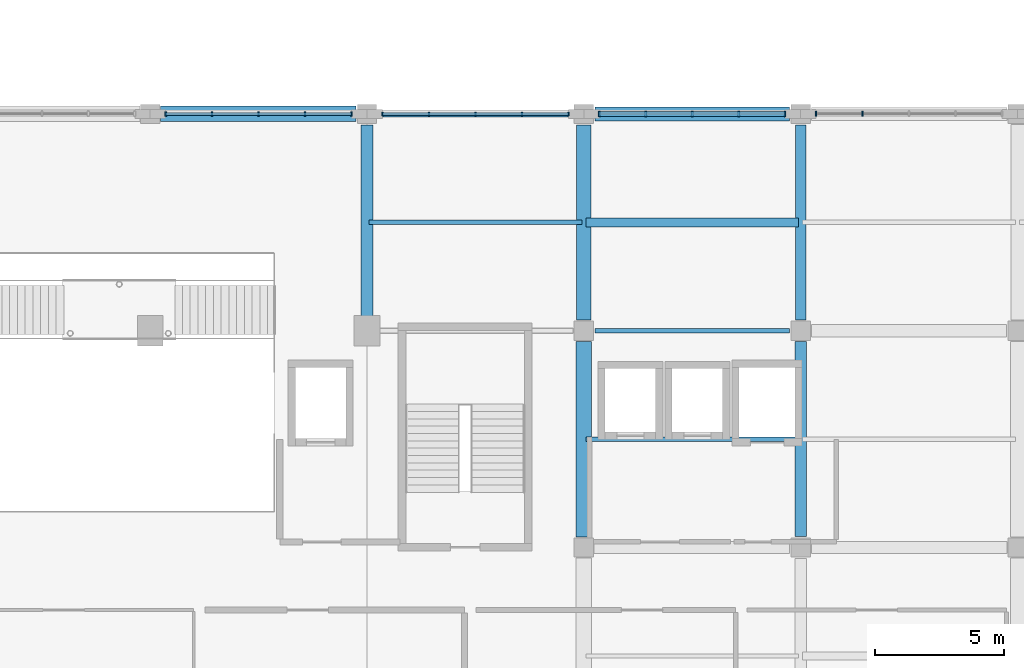
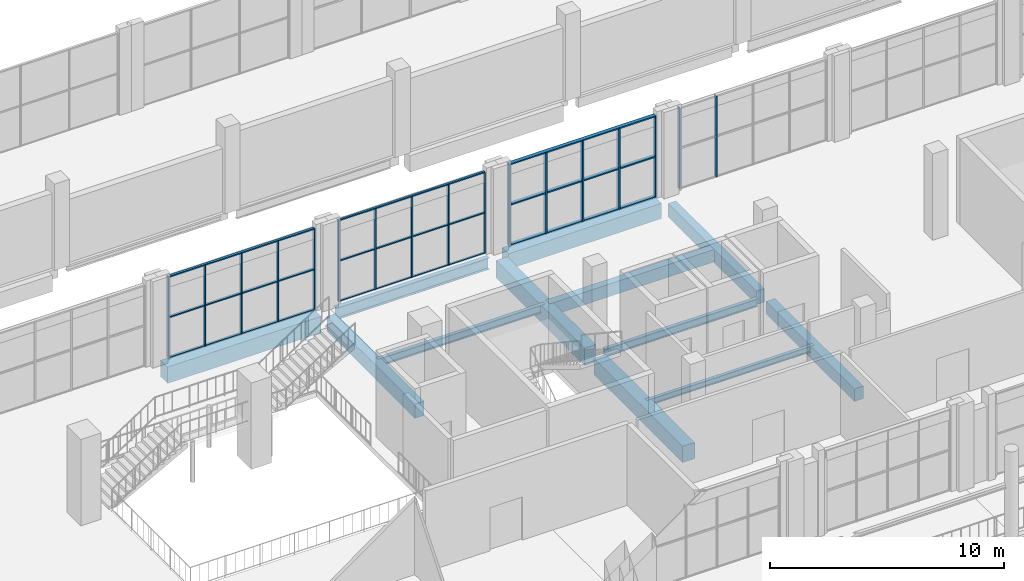
# One storey, part 24 of 75: 26 members, 12 beams, 4 elements without a shape of their own.
"""IFC4 building model written with IfcOpenShell, lengths in metres."""

from ifc_helpers import new_model, si_unit, derived_unit, direction, frame, origin, origin_2d, place, context, subcontext, project, spatial, rectangle, i_section, extrude, material, material_profile, profile_set, type_object, element, aggregate, save


model = new_model("IFC4")

# Units and contexts
model_context = context("Model", 3, precision=1e-05, world=origin(), true_north=direction((0.0, 1.0)))
body_context = subcontext(model_context, "Body", "Model", "MODEL_VIEW")
ifc_project = project(units=[si_unit("LENGTHUNIT", "METRE"), si_unit("AREAUNIT", "SQUARE_METRE"), si_unit("VOLUMEUNIT", "CUBIC_METRE"), si_unit("PLANEANGLEUNIT", "RADIAN"), si_unit("MASSUNIT", "GRAM", prefix="KILO"), derived_unit("THERMALTRANSMITTANCEUNIT", [(si_unit("POWERUNIT", "WATT"), 1), (si_unit("LENGTHUNIT", "METRE"), -2), (si_unit("THERMODYNAMICTEMPERATUREUNIT", "KELVIN"), -1)])], contexts=[model_context])

# Site, building, storey
site_placement = place(None, origin())
site = spatial("IfcSite", under=ifc_project, at=site_placement, CompositionType="ELEMENT")
building_placement = place(site_placement, origin())
building = spatial("IfcBuilding", under=site, at=building_placement, Name="Barrovel Congress Hotel", CompositionType="ELEMENT")
storey_placement = place(building_placement, frame((0.0, 0.0, 5.39990234375)))
storey = spatial("IfcBuildingStorey", under=building, at=storey_placement, Name="L01", CompositionType="ELEMENT", Elevation=5.39990234375)

# Beams
ifc_material_1 = material(Name="Concrete C40", Category="concrete")
ifc_material_profile_1 = material_profile(ifc_material_1, rectangle(XDim=0.35009765625, YDim=0.64990234375, at=origin_2d()), Name="RC350x650")
ifc_profile_set_1 = profile_set([ifc_material_profile_1], Name="Concrete C40")
beam_type_1 = type_object("IfcBeamType", Name="BM-RC350x650", PredefinedType="JOIST", material=ifc_profile_set_1)
beam_1_placement = place(storey_placement, frame((84.080078125, 25.199951171875, -0.5849609375), z_axis=(1.0, 0.0, 0.0), x_axis=(0.0, 1.0, 0.0)))
element("IfcBeam", 1, at=beam_1_placement, inside=storey, type_object=beam_type_1, Name="JST:L01:84.0:25.2", PredefinedType="JOIST", context=body_context, shape_type="SweptSolid", body=[
    extrude(rectangle(XDim=0.35009765625, YDim=0.64990234375, at=origin_2d()), origin(), (0.0, 0.0, 1.0), 8.239990234375),
])
ifc_material_profile_2 = material_profile(ifc_material_1, rectangle(XDim=0.39990234375, YDim=0.699951171875, at=origin_2d()), Name="RC400x700")
ifc_profile_set_2 = profile_set([ifc_material_profile_2], Name="Concrete C40")
beam_type_2 = type_object("IfcBeamType", Name="BM-RC400x700", PredefinedType="BEAM", material=ifc_profile_set_2)
beam_2_placement = place(storey_placement, frame((92.39990234375, 21.425048828125, -0.60986328125), z_axis=(0.0, 1.0, 0.0), x_axis=(-1.0, 0.0, 0.0)))
element("IfcBeam", 2, at=beam_2_placement, inside=storey, type_object=beam_type_2, Name="BMY:L01:92.4:21.0-29.4", PredefinedType="BEAM", context=body_context, shape_type="SweptSolid", body=[
    extrude(rectangle(XDim=0.39990234375, YDim=0.699951171875, at=origin_2d()), origin(), (0.0, 0.0, 1.0), 7.550048828125),
])
ifc_material_profile_3 = material_profile(ifc_material_1, rectangle(XDim=0.449951171875, YDim=0.64990234375, at=origin_2d()), Name="RC450x650")
ifc_profile_set_3 = profile_set([ifc_material_profile_3], Name="Concrete C40")
beam_type_3 = type_object("IfcBeamType", Name="BM-RC450x650", PredefinedType="BEAM", material=ifc_profile_set_3)
beam_3_placement = place(storey_placement, frame((92.39990234375, 13.02490234375, -0.5849609375), z_axis=(0.0, 1.0, 0.0), x_axis=(-1.0, 0.0, 0.0)))
element("IfcBeam", 3, at=beam_3_placement, inside=storey, type_object=beam_type_3, Name="BMY:L01:92.4:12.6-21.0", PredefinedType="BEAM", context=body_context, shape_type="SweptSolid", body=[
    extrude(rectangle(XDim=0.449951171875, YDim=0.64990234375, at=origin_2d()), origin(), (0.0, 0.0, 1.0), 7.550048828125),
])
ifc_material_profile_4 = material_profile(ifc_material_1, rectangle(XDim=0.449951171875, YDim=0.75, at=origin_2d()), Name="RC450x750")
ifc_profile_set_4 = profile_set([ifc_material_profile_4], Name="Concrete C40")
beam_type_4 = type_object("IfcBeamType", Name="BM-RC450x750", PredefinedType="BEAM", material=ifc_profile_set_4)
beam_4_placement = place(storey_placement, frame((75.60009765625, 21.449951171875, -0.635009765625), z_axis=(0.0, 1.0, 0.0), x_axis=(-1.0, 0.0, 0.0)))
element("IfcBeam", 4, at=beam_4_placement, inside=storey, type_object=beam_type_4, Name="BMY:L01:75.6:21.0-29.4", PredefinedType="BEAM", context=body_context, shape_type="SweptSolid", body=[
    extrude(rectangle(XDim=0.449951171875, YDim=0.75, at=origin_2d()), origin(), (0.0, 0.0, 1.0), 7.525146484375),
])
ifc_material_profile_5 = material_profile(ifc_material_1, rectangle(XDim=0.550048828125, YDim=0.800048828125, at=origin_2d()), Name="RC550x800")
ifc_profile_set_5 = profile_set([ifc_material_profile_5], Name="Concrete C40")
beam_type_5 = type_object("IfcBeamType", Name="BM-RC550x800", PredefinedType="BEAM", material=ifc_profile_set_5)
beam_5_placement = place(storey_placement, frame((84.425048828125, 29.39990234375, -0.659912109375), z_axis=(1.0, 0.0, 0.0), x_axis=(0.0, 1.0, 0.0)))
element("IfcBeam", 5, at=beam_5_placement, inside=storey, type_object=beam_type_5, Name="BMX:L01:29.4:84.0-92.4", PredefinedType="BEAM", context=body_context, shape_type="SweptSolid", body=[
    extrude(rectangle(XDim=0.550048828125, YDim=0.800048828125, at=origin_2d()), origin(), (0.0, 0.0, 1.0), 7.550048828125),
])
ifc_material_profile_6 = material_profile(ifc_material_1, rectangle(XDim=0.550048828125, YDim=0.89990234375, at=origin_2d()), Name="RC550x900")
ifc_profile_set_6 = profile_set([ifc_material_profile_6], Name="Concrete C40")
beam_type_6 = type_object("IfcBeamType", Name="BM-RC550x900", PredefinedType="BEAM", material=ifc_profile_set_6)
beam_6_placement = place(storey_placement, frame((84.0, 21.425048828125, -0.7099609375), z_axis=(0.0, 1.0, 0.0), x_axis=(-1.0, 0.0, 0.0)))
element("IfcBeam", 6, at=beam_6_placement, inside=storey, type_object=beam_type_6, Name="BMY:L01:84.0:21.0-29.4", PredefinedType="BEAM", context=body_context, shape_type="SweptSolid", body=[
    extrude(rectangle(XDim=0.550048828125, YDim=0.89990234375, at=origin_2d()), origin(), (0.0, 0.0, 1.0), 7.550048828125),
])
ifc_material_profile_7 = material_profile(ifc_material_1, rectangle(XDim=0.60009765625, YDim=0.85009765625, at=origin_2d()), Name="RC600x850")
ifc_profile_set_7 = profile_set([ifc_material_profile_7], Name="Concrete C40")
beam_type_7 = type_object("IfcBeamType", Name="BM-RC600x850", PredefinedType="BEAM", material=ifc_profile_set_7)
for number, where, z_axis, x_axis, name in (
    (7, (67.60009765625, 29.39990234375, -0.684814453125), (1.0, 0.0, 0.0), (0.0, 1.0, 0.0), "BMX:L01:29.4:67.2-75.6"),
    (8, (84.0, 13.0, -0.684814453125), (0.0, 1.0, 0.0), (-1.0, 0.0, 0.0), "BMY:L01:84.0:12.6-21.0"),
):
    element("IfcBeam", number, at=place(storey_placement, frame(where, z_axis=z_axis, x_axis=x_axis)), inside=storey, type_object=beam_type_7, Name=name, PredefinedType="BEAM", context=body_context, shape_type="SweptSolid", body=[
        extrude(rectangle(XDim=0.60009765625, YDim=0.85009765625, at=origin_2d()), origin(), (0.0, 0.0, 1.0), 7.574951171875),
    ])

# Curtain wall, members
ifc_material_2 = material(Name="Anodised Aluminium Alloy 6063-T6", Category="aluminium")
curtain_wall_type = type_object("IfcCurtainWallType", Name="CW-ST-7200x3900", PredefinedType="USERDEFINED", material=ifc_material_2)
curtain_wall_1_placement = place(storey_placement, origin())
curtain_wall_1 = element("IfcCurtainWall", 9, at=curtain_wall_1_placement, inside=storey, type_object=curtain_wall_type, Name="CW:L01:CS:09", ObjectType="STICK CURTAIN WALL", PredefinedType="USERDEFINED")
ifc_material_profile_8 = material_profile(ifc_material_2, rectangle(XDim=0.06005859375, YDim=0.139892578125, at=origin_2d()), Name="AL-M60x140")
ifc_profile_set_8 = profile_set([ifc_material_profile_8], Name="Anodised Aluminium Alloy 6063-T6")
member_type_1 = type_object("IfcMemberType", Name="CWM-AL-M60x140", PredefinedType="MULLION", material=ifc_profile_set_8)
member_1_placement = place(storey_placement, frame((83.39990234375, 29.39990234375, 0.0), z_axis=(0.0, 0.0, 1.0), x_axis=(1.0, 0.0, 0.0)))
member_1 = element("IfcMember", 10, at=member_1_placement, type_object=member_type_1, Name="CW:L01:CS:09:M0", PredefinedType="MULLION", context=body_context, shape_type="SweptSolid", body=[
    extrude(rectangle(XDim=0.06005859375, YDim=0.139892578125, at=origin_2d()), origin(), (0.0, 0.0, 1.0), 4.22021484375),
])
member_2_placement = place(storey_placement, frame((81.60009765625, 29.39990234375, 0.0), z_axis=(0.0, 0.0, 1.0), x_axis=(1.0, 0.0, 0.0)))
member_2 = element("IfcMember", 11, at=member_2_placement, type_object=member_type_1, Name="CW:L01:CS:09:M1", PredefinedType="MULLION", context=body_context, shape_type="SweptSolid", body=[
    extrude(rectangle(XDim=0.06005859375, YDim=0.139892578125, at=origin_2d()), origin(), (0.0, 0.0, 1.0), 4.22021484375),
])
member_3_placement = place(storey_placement, frame((79.800048828125, 29.39990234375, 0.0), z_axis=(0.0, 0.0, 1.0), x_axis=(1.0, 0.0, 0.0)))
member_3 = element("IfcMember", 12, at=member_3_placement, type_object=member_type_1, Name="CW:L01:CS:09:M2", PredefinedType="MULLION", context=body_context, shape_type="SweptSolid", body=[
    extrude(rectangle(XDim=0.06005859375, YDim=0.139892578125, at=origin_2d()), origin(), (0.0, 0.0, 1.0), 4.22021484375),
])
member_4_placement = place(storey_placement, frame((78.0, 29.39990234375, 0.0), z_axis=(0.0, 0.0, 1.0), x_axis=(1.0, 0.0, 0.0)))
member_4 = element("IfcMember", 13, at=member_4_placement, type_object=member_type_1, Name="CW:L01:CS:09:M3", PredefinedType="MULLION", context=body_context, shape_type="SweptSolid", body=[
    extrude(rectangle(XDim=0.06005859375, YDim=0.139892578125, at=origin_2d()), origin(), (0.0, 0.0, 1.0), 4.22021484375),
])
member_5_placement = place(storey_placement, frame((76.199951171875, 29.39990234375, 0.0), z_axis=(0.0, 0.0, 1.0), x_axis=(1.0, 0.0, 0.0)))
member_5 = element("IfcMember", 14, at=member_5_placement, type_object=member_type_1, Name="CW:L01:CS:09:M4", PredefinedType="MULLION", context=body_context, shape_type="SweptSolid", body=[
    extrude(rectangle(XDim=0.06005859375, YDim=0.139892578125, at=origin_2d()), origin(), (0.0, 0.0, 1.0), 4.22021484375),
])

curtain_wall_2_placement = place(storey_placement, origin())
curtain_wall_2 = element("IfcCurtainWall", 15, at=curtain_wall_2_placement, inside=storey, type_object=curtain_wall_type, Name="CW:L01:CS:08", ObjectType="STICK CURTAIN WALL", PredefinedType="USERDEFINED")
ifc_material_profile_9 = material_profile(ifc_material_2, rectangle(XDim=0.06005859375, YDim=0.1650390625, at=origin_2d()), Name="AL-M60x165")
ifc_profile_set_9 = profile_set([ifc_material_profile_9], Name="Anodised Aluminium Alloy 6063-T6")
member_type_2 = type_object("IfcMemberType", Name="CWM-AL-M60x165", PredefinedType="MULLION", material=ifc_profile_set_9)
member_6_placement = place(storey_placement, frame((75.0, 29.39990234375, 0.0), z_axis=(0.0, 0.0, 1.0), x_axis=(1.0, 0.0, 0.0)))
member_6 = element("IfcMember", 16, at=member_6_placement, type_object=member_type_2, Name="CW:L01:CS:08:M0", PredefinedType="MULLION", context=body_context, shape_type="SweptSolid", body=[
    extrude(rectangle(XDim=0.06005859375, YDim=0.1650390625, at=origin_2d()), origin(), (0.0, 0.0, 1.0), 4.22021484375),
])
member_7_placement = place(storey_placement, frame((73.199951171875, 29.39990234375, 0.0), z_axis=(0.0, 0.0, 1.0), x_axis=(1.0, 0.0, 0.0)))
member_7 = element("IfcMember", 17, at=member_7_placement, type_object=member_type_2, Name="CW:L01:CS:08:M1", PredefinedType="MULLION", context=body_context, shape_type="SweptSolid", body=[
    extrude(rectangle(XDim=0.06005859375, YDim=0.1650390625, at=origin_2d()), origin(), (0.0, 0.0, 1.0), 4.22021484375),
])
member_8_placement = place(storey_placement, frame((71.39990234375, 29.39990234375, 0.0), z_axis=(0.0, 0.0, 1.0), x_axis=(1.0, 0.0, 0.0)))
member_8 = element("IfcMember", 18, at=member_8_placement, type_object=member_type_2, Name="CW:L01:CS:08:M2", PredefinedType="MULLION", context=body_context, shape_type="SweptSolid", body=[
    extrude(rectangle(XDim=0.06005859375, YDim=0.1650390625, at=origin_2d()), origin(), (0.0, 0.0, 1.0), 4.22021484375),
])
member_9_placement = place(storey_placement, frame((69.60009765625, 29.39990234375, 0.0), z_axis=(0.0, 0.0, 1.0), x_axis=(1.0, 0.0, 0.0)))
member_9 = element("IfcMember", 19, at=member_9_placement, type_object=member_type_2, Name="CW:L01:CS:08:M3", PredefinedType="MULLION", context=body_context, shape_type="SweptSolid", body=[
    extrude(rectangle(XDim=0.06005859375, YDim=0.1650390625, at=origin_2d()), origin(), (0.0, 0.0, 1.0), 4.22021484375),
])
member_10_placement = place(storey_placement, frame((67.800048828125, 29.39990234375, 0.0), z_axis=(0.0, 0.0, 1.0), x_axis=(1.0, 0.0, 0.0)))
member_10 = element("IfcMember", 20, at=member_10_placement, type_object=member_type_2, Name="CW:L01:CS:08:M4", PredefinedType="MULLION", context=body_context, shape_type="SweptSolid", body=[
    extrude(rectangle(XDim=0.06005859375, YDim=0.1650390625, at=origin_2d()), origin(), (0.0, 0.0, 1.0), 4.22021484375),
])

curtain_wall_3_placement = place(storey_placement, origin())
curtain_wall_3 = element("IfcCurtainWall", 21, at=curtain_wall_3_placement, inside=storey, type_object=curtain_wall_type, Name="CW:L01:CS:11", ObjectType="STICK CURTAIN WALL", PredefinedType="USERDEFINED")
ifc_material_profile_10 = material_profile(ifc_material_2, rectangle(XDim=0.06494140625, YDim=0.18994140625, at=origin_2d()), Name="AL-M65x190")
ifc_profile_set_10 = profile_set([ifc_material_profile_10], Name="Anodised Aluminium Alloy 6063-T6")
member_type_3 = type_object("IfcMemberType", Name="CWM-AL-M65x190", PredefinedType="MULLION", material=ifc_profile_set_10)
member_11_placement = place(storey_placement, frame((94.800048828125, 29.39990234375, 0.0), z_axis=(0.0, 0.0, 1.0), x_axis=(1.0, 0.0, 0.0)))
member_11 = element("IfcMember", 22, at=member_11_placement, type_object=member_type_3, Name="CW:L01:CS:11:M3", PredefinedType="MULLION", context=body_context, shape_type="SweptSolid", body=[
    extrude(rectangle(XDim=0.06494140625, YDim=0.18994140625, at=origin_2d()), origin(), (0.0, 0.0, 1.0), 4.22021484375),
])
member_12_placement = place(storey_placement, frame((93.0, 29.39990234375, 0.0), z_axis=(0.0, 0.0, 1.0), x_axis=(1.0, 0.0, 0.0)))
member_12 = element("IfcMember", 23, at=member_12_placement, type_object=member_type_3, Name="CW:L01:CS:11:M4", PredefinedType="MULLION", context=body_context, shape_type="SweptSolid", body=[
    extrude(rectangle(XDim=0.06494140625, YDim=0.18994140625, at=origin_2d()), origin(), (0.0, 0.0, 1.0), 4.22021484375),
])
aggregate(curtain_wall_3, [member_11, member_12])

curtain_wall_4_placement = place(storey_placement, origin())
curtain_wall_4 = element("IfcCurtainWall", 24, at=curtain_wall_4_placement, inside=storey, type_object=curtain_wall_type, Name="CW:L01:CS:10", ObjectType="STICK CURTAIN WALL", PredefinedType="USERDEFINED")
ifc_material_profile_11 = material_profile(ifc_material_2, rectangle(XDim=0.06494140625, YDim=0.219970703125, at=origin_2d()), Name="AL-M65x220")
ifc_profile_set_11 = profile_set([ifc_material_profile_11], Name="Anodised Aluminium Alloy 6063-T6")
member_type_4 = type_object("IfcMemberType", Name="CWM-AL-M65x220", PredefinedType="MULLION", material=ifc_profile_set_11)
member_13_placement = place(storey_placement, frame((91.800048828125, 29.39990234375, 0.0), z_axis=(0.0, 0.0, 1.0), x_axis=(1.0, 0.0, 0.0)))
member_13 = element("IfcMember", 25, at=member_13_placement, type_object=member_type_4, Name="CW:L01:CS:10:M0", PredefinedType="MULLION", context=body_context, shape_type="SweptSolid", body=[
    extrude(rectangle(XDim=0.06494140625, YDim=0.219970703125, at=origin_2d()), origin(), (0.0, 0.0, 1.0), 4.22021484375),
])
member_14_placement = place(storey_placement, frame((90.0, 29.39990234375, 0.0), z_axis=(0.0, 0.0, 1.0), x_axis=(1.0, 0.0, 0.0)))
member_14 = element("IfcMember", 26, at=member_14_placement, type_object=member_type_4, Name="CW:L01:CS:10:M1", PredefinedType="MULLION", context=body_context, shape_type="SweptSolid", body=[
    extrude(rectangle(XDim=0.06494140625, YDim=0.219970703125, at=origin_2d()), origin(), (0.0, 0.0, 1.0), 4.22021484375),
])
member_15_placement = place(storey_placement, frame((88.199951171875, 29.39990234375, 0.0), z_axis=(0.0, 0.0, 1.0), x_axis=(1.0, 0.0, 0.0)))
member_15 = element("IfcMember", 27, at=member_15_placement, type_object=member_type_4, Name="CW:L01:CS:10:M2", PredefinedType="MULLION", context=body_context, shape_type="SweptSolid", body=[
    extrude(rectangle(XDim=0.06494140625, YDim=0.219970703125, at=origin_2d()), origin(), (0.0, 0.0, 1.0), 4.22021484375),
])
member_16_placement = place(storey_placement, frame((86.39990234375, 29.39990234375, 0.0), z_axis=(0.0, 0.0, 1.0), x_axis=(1.0, 0.0, 0.0)))
member_16 = element("IfcMember", 28, at=member_16_placement, type_object=member_type_4, Name="CW:L01:CS:10:M3", PredefinedType="MULLION", context=body_context, shape_type="SweptSolid", body=[
    extrude(rectangle(XDim=0.06494140625, YDim=0.219970703125, at=origin_2d()), origin(), (0.0, 0.0, 1.0), 4.22021484375),
])
member_17_placement = place(storey_placement, frame((84.60009765625, 29.39990234375, 0.0), z_axis=(0.0, 0.0, 1.0), x_axis=(1.0, 0.0, 0.0)))
member_17 = element("IfcMember", 29, at=member_17_placement, type_object=member_type_4, Name="CW:L01:CS:10:M4", PredefinedType="MULLION", context=body_context, shape_type="SweptSolid", body=[
    extrude(rectangle(XDim=0.06494140625, YDim=0.219970703125, at=origin_2d()), origin(), (0.0, 0.0, 1.0), 4.22021484375),
])

# Member
ifc_material_profile_12 = material_profile(ifc_material_2, rectangle(XDim=0.10498046875, YDim=0.06005859375, at=origin_2d()), Name="AL-T60x105")
ifc_profile_set_12 = profile_set([ifc_material_profile_12], Name="Anodised Aluminium Alloy 6063-T6")
member_type_5 = type_object("IfcMemberType", Name="CWT-AL-T60x105", PredefinedType="USERDEFINED", material=ifc_profile_set_12)
member_18_placement = place(storey_placement, frame((83.39990234375, 29.39990234375, 0.0), z_axis=(-1.0, 0.0, 0.0), x_axis=(0.0, -1.0, 0.0)))
member_18 = element("IfcMember", 30, at=member_18_placement, type_object=member_type_5, Name="CW:L01:CS:09:T0", ObjectType="TRANSOM", PredefinedType="USERDEFINED", context=body_context, shape_type="SweptSolid", body=[
    extrude(rectangle(XDim=0.10498046875, YDim=0.06005859375, at=origin_2d()), origin(), (0.0, 0.0, 1.0), 7.199951171875),
])

member_19_placement = place(storey_placement, frame((83.39990234375, 29.39990234375, 2.110107421875), z_axis=(-1.0, 0.0, 0.0), x_axis=(0.0, -1.0, 0.0)))
member_19 = element("IfcMember", 31, at=member_19_placement, type_object=member_type_5, Name="CW:L01:CS:09:T1", ObjectType="TRANSOM", PredefinedType="USERDEFINED", context=body_context, shape_type="SweptSolid", body=[
    extrude(rectangle(XDim=0.10498046875, YDim=0.06005859375, at=origin_2d()), origin(), (0.0, 0.0, 1.0), 7.199951171875),
])

member_20_placement = place(storey_placement, frame((83.39990234375, 29.39990234375, 4.22021484375), z_axis=(-1.0, 0.0, 0.0), x_axis=(0.0, -1.0, 0.0)))
member_20 = element("IfcMember", 32, at=member_20_placement, type_object=member_type_5, Name="CW:L01:CS:09:T2", ObjectType="TRANSOM", PredefinedType="USERDEFINED", context=body_context, shape_type="SweptSolid", body=[
    extrude(rectangle(XDim=0.10498046875, YDim=0.06005859375, at=origin_2d()), origin(), (0.0, 0.0, 1.0), 7.199951171875),
])

aggregate(curtain_wall_1, [member_1, member_2, member_3, member_4, member_5, member_18, member_19, member_20])

ifc_material_profile_13 = material_profile(ifc_material_2, rectangle(XDim=0.125, YDim=0.06005859375, at=origin_2d()), Name="AL-T60x125")
ifc_profile_set_13 = profile_set([ifc_material_profile_13], Name="Anodised Aluminium Alloy 6063-T6")
member_type_6 = type_object("IfcMemberType", Name="CWT-AL-T60x125", PredefinedType="USERDEFINED", material=ifc_profile_set_13)
member_21_placement = place(storey_placement, frame((75.0, 29.39990234375, 0.0), z_axis=(-1.0, 0.0, 0.0), x_axis=(0.0, -1.0, 0.0)))
member_21 = element("IfcMember", 33, at=member_21_placement, type_object=member_type_6, Name="CW:L01:CS:08:T0", ObjectType="TRANSOM", PredefinedType="USERDEFINED", context=body_context, shape_type="SweptSolid", body=[
    extrude(rectangle(XDim=0.125, YDim=0.06005859375, at=origin_2d()), origin(), (0.0, 0.0, 1.0), 7.199951171875),
])

member_22_placement = place(storey_placement, frame((75.0, 29.39990234375, 2.110107421875), z_axis=(-1.0, 0.0, 0.0), x_axis=(0.0, -1.0, 0.0)))
member_22 = element("IfcMember", 34, at=member_22_placement, type_object=member_type_6, Name="CW:L01:CS:08:T1", ObjectType="TRANSOM", PredefinedType="USERDEFINED", context=body_context, shape_type="SweptSolid", body=[
    extrude(rectangle(XDim=0.125, YDim=0.06005859375, at=origin_2d()), origin(), (0.0, 0.0, 1.0), 7.199951171875),
])

member_23_placement = place(storey_placement, frame((75.0, 29.39990234375, 4.22021484375), z_axis=(-1.0, 0.0, 0.0), x_axis=(0.0, -1.0, 0.0)))
member_23 = element("IfcMember", 35, at=member_23_placement, type_object=member_type_6, Name="CW:L01:CS:08:T2", ObjectType="TRANSOM", PredefinedType="USERDEFINED", context=body_context, shape_type="SweptSolid", body=[
    extrude(rectangle(XDim=0.125, YDim=0.06005859375, at=origin_2d()), origin(), (0.0, 0.0, 1.0), 7.199951171875),
])

aggregate(curtain_wall_2, [member_6, member_7, member_8, member_9, member_10, member_21, member_22, member_23])

ifc_material_profile_14 = material_profile(ifc_material_2, rectangle(XDim=0.179931640625, YDim=0.06494140625, at=origin_2d()), Name="AL-T65x180")
ifc_profile_set_14 = profile_set([ifc_material_profile_14], Name="Anodised Aluminium Alloy 6063-T6")
member_type_7 = type_object("IfcMemberType", Name="CWT-AL-T65x180", PredefinedType="USERDEFINED", material=ifc_profile_set_14)
member_24_placement = place(storey_placement, frame((91.800048828125, 29.39990234375, 0.0), z_axis=(-1.0, 0.0, 0.0), x_axis=(0.0, -1.0, 0.0)))
member_24 = element("IfcMember", 36, at=member_24_placement, type_object=member_type_7, Name="CW:L01:CS:10:T0", ObjectType="TRANSOM", PredefinedType="USERDEFINED", context=body_context, shape_type="SweptSolid", body=[
    extrude(rectangle(XDim=0.179931640625, YDim=0.06494140625, at=origin_2d()), origin(), (0.0, 0.0, 1.0), 7.199951171875),
])

member_25_placement = place(storey_placement, frame((91.800048828125, 29.39990234375, 2.110107421875), z_axis=(-1.0, 0.0, 0.0), x_axis=(0.0, -1.0, 0.0)))
member_25 = element("IfcMember", 37, at=member_25_placement, type_object=member_type_7, Name="CW:L01:CS:10:T1", ObjectType="TRANSOM", PredefinedType="USERDEFINED", context=body_context, shape_type="SweptSolid", body=[
    extrude(rectangle(XDim=0.179931640625, YDim=0.06494140625, at=origin_2d()), origin(), (0.0, 0.0, 1.0), 7.199951171875),
])

member_26_placement = place(storey_placement, frame((91.800048828125, 29.39990234375, 4.22021484375), z_axis=(-1.0, 0.0, 0.0), x_axis=(0.0, -1.0, 0.0)))
member_26 = element("IfcMember", 38, at=member_26_placement, type_object=member_type_7, Name="CW:L01:CS:10:T2", ObjectType="TRANSOM", PredefinedType="USERDEFINED", context=body_context, shape_type="SweptSolid", body=[
    extrude(rectangle(XDim=0.179931640625, YDim=0.06494140625, at=origin_2d()), origin(), (0.0, 0.0, 1.0), 7.199951171875),
])

aggregate(curtain_wall_4, [member_13, member_14, member_15, member_16, member_17, member_24, member_25, member_26])

# Beams
ifc_material_3 = material(Name="Steel ASTM A992 Grade 50", Category="steel")
ifc_material_profile_15 = material_profile(ifc_material_3, i_section(OverallWidth=0.1650390625, OverallDepth=0.31005859375, WebThickness=0.005859375, FlangeThickness=0.009765625, FilletRadius=0.010986328125, at=origin_2d()), Name="W310x39")
ifc_profile_set_15 = profile_set([ifc_material_profile_15], Name="Steel ASTM A992 Grade 50")
beam_type_8 = type_object("IfcBeamType", Name="SBM-W310x39", PredefinedType="JOIST", material=ifc_profile_set_15)
beam_7_placement = place(storey_placement, frame((84.080078125, 16.800048828125, -0.414794921875), z_axis=(1.0, 0.0, 0.0), x_axis=(0.0, 1.0, 0.0)))
element("IfcBeam", 39, at=beam_7_placement, inside=storey, type_object=beam_type_8, Name="JST:L01:84.0:16.8", PredefinedType="JOIST", context=body_context, shape_type="SweptSolid", body=[
    extrude(i_section(OverallWidth=0.1650390625, OverallDepth=0.31005859375, WebThickness=0.005859375, FlangeThickness=0.009765625, FilletRadius=0.010986328125, at=origin_2d()), origin(), (0.0, 0.0, 1.0), 8.239990234375),
])
ifc_material_profile_16 = material_profile(ifc_material_3, i_section(OverallWidth=0.177001953125, OverallDepth=0.403076171875, WebThickness=0.007568359375, FlangeThickness=0.010986328125, FilletRadius=0.011962890625, at=origin_2d()), Name="W410x53")
ifc_profile_set_16 = profile_set([ifc_material_profile_16], Name="Steel ASTM A992 Grade 50")
beam_type_9 = type_object("IfcBeamType", Name="SBM-W410x53", PredefinedType="JOIST", material=ifc_profile_set_16)
beam_8_placement = place(storey_placement, frame((75.679931640625, 25.199951171875, -0.46142578125), z_axis=(1.0, 0.0, 0.0), x_axis=(0.0, 1.0, 0.0)))
element("IfcBeam", 40, at=beam_8_placement, inside=storey, type_object=beam_type_9, Name="JST:L01:75.6:25.2", PredefinedType="JOIST", context=body_context, shape_type="SweptSolid", body=[
    extrude(i_section(OverallWidth=0.177001953125, OverallDepth=0.403076171875, WebThickness=0.007568359375, FlangeThickness=0.010986328125, FilletRadius=0.011962890625, at=origin_2d()), origin(), (0.0, 0.0, 1.0), 8.239990234375),
])
ifc_material_profile_17 = material_profile(ifc_material_3, i_section(OverallWidth=0.178955078125, OverallDepth=0.409912109375, WebThickness=0.0087890625, FlangeThickness=0.014404296875, FilletRadius=0.011962890625, at=origin_2d()), Name="W410x67")
ifc_profile_set_17 = profile_set([ifc_material_profile_17], Name="Steel ASTM A992 Grade 50")
beam_type_10 = type_object("IfcBeamType", Name="SBM-W410x67", PredefinedType="BEAM", material=ifc_profile_set_17)
beam_9_placement = place(storey_placement, frame((84.425048828125, 21.0, -0.46484375), z_axis=(1.0, 0.0, 0.0), x_axis=(0.0, 1.0, 0.0)))
element("IfcBeam", 41, at=beam_9_placement, inside=storey, type_object=beam_type_10, Name="BMX:L01:21.0:84.0-92.4", PredefinedType="BEAM", context=body_context, shape_type="SweptSolid", body=[
    extrude(i_section(OverallWidth=0.178955078125, OverallDepth=0.409912109375, WebThickness=0.0087890625, FlangeThickness=0.014404296875, FilletRadius=0.011962890625, at=origin_2d()), origin(), (0.0, 0.0, 1.0), 7.550048828125),
])
ifc_material_profile_18 = material_profile(ifc_material_3, i_section(OverallWidth=0.22802734375, OverallDepth=0.60302734375, WebThickness=0.010498046875, FlangeThickness=0.014892578125, FilletRadius=0.014892578125, at=origin_2d()), Name="W610x101")
ifc_profile_set_18 = profile_set([ifc_material_profile_18], Name="Steel ASTM A992 Grade 50")
beam_type_11 = type_object("IfcBeamType", Name="SBM-W610x101", PredefinedType="BEAM", material=ifc_profile_set_18)
beam_10_placement = place(storey_placement, frame((76.02490234375, 29.39990234375, -0.5615234375), z_axis=(1.0, 0.0, 0.0), x_axis=(0.0, 1.0, 0.0)))
element("IfcBeam", 42, at=beam_10_placement, inside=storey, type_object=beam_type_11, Name="BMX:L01:29.4:75.6-84.0", PredefinedType="BEAM", context=body_context, shape_type="SweptSolid", body=[
    extrude(i_section(OverallWidth=0.22802734375, OverallDepth=0.60302734375, WebThickness=0.010498046875, FlangeThickness=0.014892578125, FilletRadius=0.014892578125, at=origin_2d()), origin(), (0.0, 0.0, 1.0), 7.550048828125),
])

save(model, "model.ifc")
